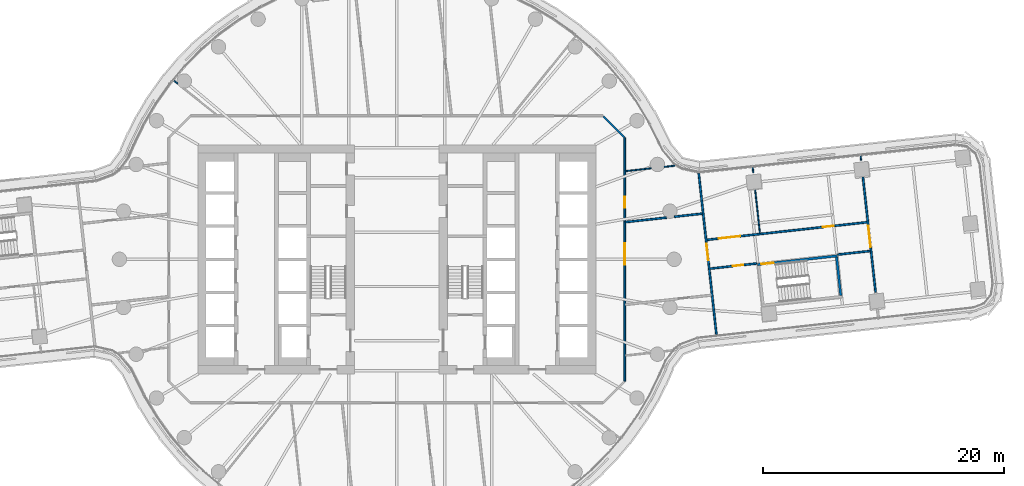
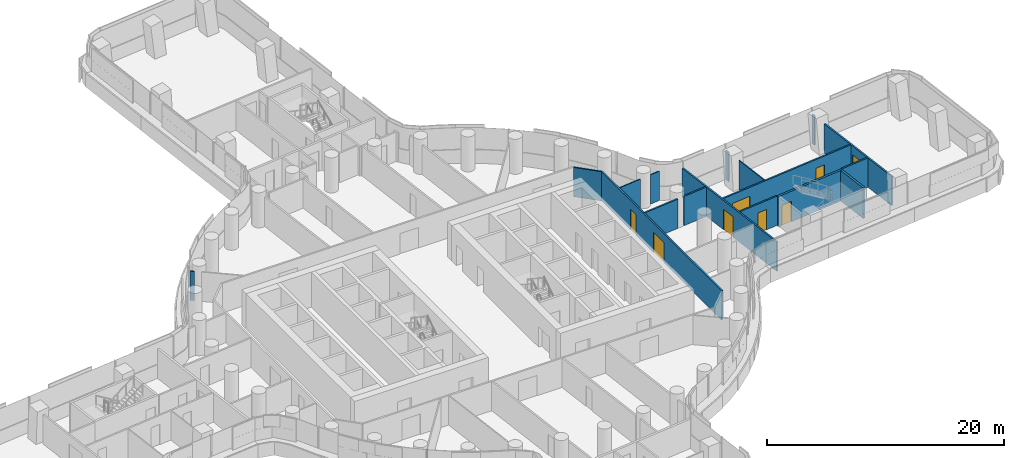
# One storey, part 22 of 31: 17 walls, 8 doors, 8 openings.
"""IFC4 building model written with IfcOpenShell, lengths in metres."""

from ifc_helpers import new_model, si_unit, direction, frame, frame_2d, origin, place, context, subcontext, project, spatial, polyline, rectangle, outline, extrude, material, layer, layer_set, type_object, element, fill, save


model = new_model("IFC4")

# Units and contexts
model_context = context("Model", 3, precision=1e-05, world=origin(), true_north=direction((0.0, 1.0)))
body_context = subcontext(model_context, "Body", "Model", "MODEL_VIEW")
ifc_project = project(units=[si_unit("LENGTHUNIT", "METRE"), si_unit("AREAUNIT", "SQUARE_METRE"), si_unit("VOLUMEUNIT", "CUBIC_METRE"), si_unit("PLANEANGLEUNIT", "RADIAN"), si_unit("MASSUNIT", "GRAM", prefix="KILO")], contexts=[model_context])

# Site, building, storey
site_placement = place(None, origin())
site = spatial("IfcSite", under=ifc_project, at=site_placement, CompositionType="ELEMENT")
building_placement = place(site_placement, origin())
building = spatial("IfcBuilding", under=site, at=building_placement, Name="Tamarind Cross Interchange Tower", CompositionType="ELEMENT")
storey_placement = place(building_placement, frame((0.0, 0.0, 56.5)))
storey = spatial("IfcBuildingStorey", under=building, at=storey_placement, Name="L12", CompositionType="ELEMENT", Elevation=56.5)

# Walls
ifc_material_1 = material(Name="Gypsum board partition on steel studs", Category="steel")
ifc_layer_1 = layer(ifc_material_1, 0.10009765625)
ifc_layer_set_1 = layer_set([ifc_layer_1], Name="Gypsum board partition on steel studs")
wall_type_1 = type_object("IfcWallType", Name="Partition 100 mm EI 90", PredefinedType="PARTITIONING", material=ifc_layer_set_1)
wall_1_placement = place(storey_placement, frame((29.51416015625, 7.606689453125, 0.0), z_axis=(0.0, 0.0, 1.0), x_axis=(0.108802952287, -0.994063336802, 0.0)))
element("IfcWall", 1, at=wall_1_placement, inside=storey, type_object=wall_type_1, Name="Partition L12-030", PredefinedType="PARTITIONING", context=body_context, shape_type="SweptSolid", body=[
    extrude(rectangle(XDim=0.4443359375, YDim=0.10009765625, at=frame_2d((0.22216796875, 0.0))), origin(), (0.0, 0.0, 1.0), 3.010009765625),
])
wall_2_placement = place(storey_placement, frame((29.718505859375, 5.74658203125, 0.0), z_axis=(0.0, 0.0, 1.0), x_axis=(0.109136073169, -0.994026819323, 0.0)))
element("IfcWall", 2, at=wall_2_placement, inside=storey, type_object=wall_type_1, Name="Partition L12-031", PredefinedType="PARTITIONING", context=body_context, shape_type="SweptSolid", body=[
    extrude(rectangle(XDim=3.599365234375, YDim=0.10009765625, at=frame_2d((1.7998046875, 0.0))), origin(), (0.0, 0.0, 1.0), 3.010009765625),
])
wall_3_placement = place(storey_placement, frame((38.463134765625, 8.5673828125, 0.0), z_axis=(0.0, 0.0, 1.0), x_axis=(0.109170164393, -0.994023075792, 0.0)))
element("IfcWall", 3, at=wall_3_placement, inside=storey, type_object=wall_type_1, Name="Partition L12-032", PredefinedType="PARTITIONING", context=body_context, shape_type="SweptSolid", body=[
    extrude(rectangle(XDim=0.33984375, YDim=0.10009765625, at=frame_2d((0.169921875, 0.0))), origin(), (0.0, 0.0, 1.0), 3.010009765625),
])
wall_4_placement = place(storey_placement, frame((-18.472900390625, 14.816162109375, 0.0), z_axis=(0.0, 0.0, 1.0), x_axis=(0.780062502416, -0.625701600065, 0.0)))
element("IfcWall", 4, at=wall_4_placement, inside=storey, type_object=wall_type_1, Name="Partition L12-037", PredefinedType="PARTITIONING", context=body_context, shape_type="SweptSolid", body=[
    extrude(rectangle(XDim=0.38427734375, YDim=0.10009765625, at=frame_2d((0.192138671875, 0.0))), origin(), (0.0, 0.0, 1.0), 3.010009765625),
])
wall_5_placement = place(storey_placement, frame((18.964599609375, 7.31201171875, 0.0), z_axis=(0.0, 0.0, 1.0), x_axis=(0.994002378956, 0.109358450201, 0.0)))
element("IfcWall", 5, at=wall_5_placement, inside=storey, type_object=wall_type_1, Name="Partition L12-067", PredefinedType="PARTITIONING", context=body_context, shape_type="SweptSolid", body=[
    extrude(rectangle(XDim=2.147705078125, YDim=0.10009765625, at=frame_2d((1.07373046875, 0.0))), origin(), (0.0, 0.0, 1.0), 3.010009765625),
])
wall_6_placement = place(storey_placement, frame((22.168701171875, 7.664306640625, 0.0), z_axis=(0.0, 0.0, 1.0), x_axis=(0.993995521714, 0.109420760428, 0.0)))
element("IfcWall", 6, at=wall_6_placement, inside=storey, type_object=wall_type_1, Name="Partition L12-068", PredefinedType="PARTITIONING", context=body_context, shape_type="SweptSolid", body=[
    extrude(rectangle(XDim=0.9013671875, YDim=0.10009765625, at=frame_2d((0.45068359375, 0.0))), origin(), (0.0, 0.0, 1.0), 3.010009765625),
])

# Wall, opening, door
ifc_layer_2 = layer(ifc_material_1, 0.14990234375)
ifc_layer_set_2 = layer_set([ifc_layer_2], Name="Gypsum board partition on steel studs")
wall_type_2 = type_object("IfcWallType", Name="Partition 150 mm EI 120", PredefinedType="PARTITIONING", material=ifc_layer_set_2)
wall_7_placement = place(storey_placement, frame((25.039306640625, 7.133544921875, 0.0), z_axis=(0.0, 0.0, 1.0), x_axis=(0.109208915053, -0.994018819174, 0.0)))
wall_7 = element("IfcWall", 7, at=wall_7_placement, inside=storey, type_object=wall_type_2, Name="Partition L12-029", PredefinedType="PARTITIONING", context=body_context, shape_type="SweptSolid", body=[
    extrude(rectangle(XDim=13.4580078125, YDim=0.14990234375, at=frame_2d((6.72900390625, 0.0))), origin(), (0.0, 0.0, 1.0), 3.010009765625),
])
opening_1_placement = place(wall_7_placement, frame((5.85888671875, 0.0, 0.0)))
opening_1 = element("IfcOpeningElement", 8, at=opening_1_placement, cuts=wall_7, Name="Opening D14", PredefinedType="OPENING", context=body_context, shape_type="SweptSolid", body=[
    extrude(rectangle(XDim=1.39990234375, YDim=2.10009765625, at=frame_2d((0.699951171875, 1.050048828125))), frame((0.0, 0.0849609375, 0.0), z_axis=(0.0, -1.0, 0.0), x_axis=(1.0, 0.0, 0.0)), (0.0, 0.0, 1.0), 0.169921875),
])
ifc_material_2 = material(Name="Fire-resisting door set")
door_type_1 = type_object("IfcDoorType", Name="Interior door 1400 x 2100 FD60S", OperationType="DOUBLE_DOOR_SINGLE_SWING", PredefinedType="DOOR", material=ifc_material_2)
door_1_placement = place(opening_1_placement, frame((1.39990234375, 0.0, 0.0), z_axis=(0.0, 0.0, 1.0), x_axis=(-1.0, 0.0, 0.0)))
door_1 = element("IfcDoor", 9, at=door_1_placement, inside=storey, type_object=door_type_1, Name="Door D14", OperationType="DOUBLE_DOOR_SINGLE_SWING", OverallHeight=2.10009765625, OverallWidth=1.39990234375, PredefinedType="DOOR", context=body_context, shape_type="SweptSolid", body=[
    extrude(rectangle(XDim=1.39990234375, YDim=2.10009765625, at=frame_2d((0.699951171875, 1.050048828125))), frame((0.0, 0.02490234375, 0.0), z_axis=(0.0, -1.0, 0.0), x_axis=(1.0, 0.0, 0.0)), (0.0, 0.0, 1.0), 0.050048828125),
])
fill(opening_1, door_1)

wall_8_placement = place(storey_placement, frame((38.656005859375, 6.811279296875, 0.0), z_axis=(0.0, 0.0, 1.0), x_axis=(0.109266006533, -0.9940125451, 0.0)))
wall_8 = element("IfcWall", 10, at=wall_8_placement, inside=storey, type_object=wall_type_2, Name="Partition L12-033", PredefinedType="PARTITIONING", context=body_context, shape_type="SweptSolid", body=[
    extrude(rectangle(XDim=9.587646484375, YDim=0.14990234375, at=frame_2d((4.7939453125, 0.0))), origin(), (0.0, 0.0, 1.0), 3.010009765625),
])
opening_2_placement = place(wall_8_placement, frame((4.0517578125, 0.0, 0.0)))
opening_2 = element("IfcOpeningElement", 11, at=opening_2_placement, cuts=wall_8, Name="Opening D15", PredefinedType="OPENING", context=body_context, shape_type="SweptSolid", body=[
    extrude(rectangle(XDim=1.800048828125, YDim=2.10009765625, at=frame_2d((0.89990234375, 1.050048828125))), frame((0.0, 0.0849609375, 0.0), z_axis=(0.0, -1.0, 0.0), x_axis=(1.0, 0.0, 0.0)), (0.0, 0.0, 1.0), 0.169921875),
])
door_type_2 = type_object("IfcDoorType", Name="Interior door 1800 x 2100 FD60S", OperationType="DOUBLE_DOOR_SINGLE_SWING", PredefinedType="DOOR", material=ifc_material_2)
door_2_placement = place(opening_2_placement, origin())
door_2 = element("IfcDoor", 12, at=door_2_placement, inside=storey, type_object=door_type_2, Name="Door D15", OperationType="DOUBLE_DOOR_SINGLE_SWING", OverallHeight=2.10009765625, OverallWidth=1.800048828125, PredefinedType="DOOR", context=body_context, shape_type="SweptSolid", body=[
    extrude(rectangle(XDim=1.800048828125, YDim=2.10009765625, at=frame_2d((0.89990234375, 1.050048828125))), frame((0.0, 0.02490234375, 0.0), z_axis=(0.0, -1.0, 0.0), x_axis=(1.0, 0.0, 0.0)), (0.0, 0.0, 1.0), 0.050048828125),
])
fill(opening_2, door_2)

# Walls
wall_9_placement = place(storey_placement, frame((17.12841796875, 11.87158203125, 0.0), z_axis=(0.0, 0.0, 1.0), x_axis=(0.707106781187, -0.707106781187, 0.0)))
element("IfcWall", 13, at=wall_9_placement, inside=storey, type_object=wall_type_2, Name="Partition L12-036", PredefinedType="PARTITIONING", context=body_context, shape_type="SweptSolid", body=[
    extrude(rectangle(XDim=2.465087890625, YDim=0.14990234375, at=frame_2d((1.232421875, 0.0))), origin(), (0.0, 0.0, 1.0), 3.010009765625),
])
wall_10_placement = place(storey_placement, frame((18.964599609375, 3.087158203125, 0.0), z_axis=(0.0, 0.0, 1.0), x_axis=(0.994017073769, 0.109224800551, 0.0)))
element("IfcWall", 14, at=wall_10_placement, inside=storey, type_object=wall_type_2, Name="Partition L12-065", PredefinedType="PARTITIONING", context=body_context, shape_type="SweptSolid", body=[
    extrude(rectangle(XDim=3.419921875, YDim=0.14990234375, at=frame_2d((1.7099609375, 0.0))), origin(), (0.0, 0.0, 1.0), 3.010009765625),
])
wall_11_placement = place(storey_placement, frame((23.023193359375, 3.533203125, 0.0), z_axis=(0.0, 0.0, 1.0), x_axis=(0.994015092875, 0.109242826475, 0.0)))
element("IfcWall", 15, at=wall_11_placement, inside=storey, type_object=wall_type_2, Name="Partition L12-066", PredefinedType="PARTITIONING", context=body_context, shape_type="SweptSolid", body=[
    extrude(rectangle(XDim=2.322021484375, YDim=0.14990234375, at=frame_2d((1.1611328125, 0.0))), origin(), (0.0, 0.0, 1.0), 3.010009765625),
])

# Wall, openings, doors
wall_12_placement = place(storey_placement, frame((25.720703125, 1.6162109375, 0.0), z_axis=(0.0, 0.0, 1.0), x_axis=(0.994022766075, 0.109172984408, 0.0)))
wall_12 = element("IfcWall", 16, at=wall_12_placement, inside=storey, type_object=wall_type_2, Name="Partition L12-071", PredefinedType="PARTITIONING", context=body_context, shape_type="SweptSolid", body=[
    extrude(rectangle(XDim=13.3505859375, YDim=0.14990234375, at=frame_2d((6.67529296875, 0.0))), origin(), (0.0, 0.0, 1.0), 3.010009765625),
])
opening_3_placement = place(wall_12_placement, frame((9.6748046875, 0.0, 0.0)))
opening_3 = element("IfcOpeningElement", 17, at=opening_3_placement, cuts=wall_12, Name="Opening D34", PredefinedType="OPENING", context=body_context, shape_type="SweptSolid", body=[
    extrude(rectangle(XDim=0.89990234375, YDim=2.10009765625, at=frame_2d((0.449951171875, 1.050048828125))), frame((0.0, 0.0849609375, 0.0), z_axis=(0.0, -1.0, 0.0), x_axis=(1.0, 0.0, 0.0)), (0.0, 0.0, 1.0), 0.169921875),
])
opening_4_placement = place(wall_12_placement, frame((0.97509765625, 0.0, 0.0)))
opening_4 = element("IfcOpeningElement", 18, at=opening_4_placement, cuts=wall_12, Name="Opening D35", PredefinedType="OPENING", context=body_context, shape_type="SweptSolid", body=[
    extrude(rectangle(XDim=1.800048828125, YDim=2.10009765625, at=frame_2d((0.89990234375, 1.050048828125))), frame((0.0, 0.0849609375, 0.0), z_axis=(0.0, -1.0, 0.0), x_axis=(1.0, 0.0, 0.0)), (0.0, 0.0, 1.0), 0.169921875),
])
door_3_placement = place(opening_4_placement, origin())
door_3 = element("IfcDoor", 19, at=door_3_placement, inside=storey, type_object=door_type_2, Name="Door D35", OperationType="DOUBLE_DOOR_SINGLE_SWING", OverallHeight=2.10009765625, OverallWidth=1.800048828125, PredefinedType="DOOR", context=body_context, shape_type="SweptSolid", body=[
    extrude(rectangle(XDim=1.800048828125, YDim=2.10009765625, at=frame_2d((0.89990234375, 1.050048828125))), frame((0.0, 0.02490234375, 0.0), z_axis=(0.0, -1.0, 0.0), x_axis=(1.0, 0.0, 0.0)), (0.0, 0.0, 1.0), 0.050048828125),
])
fill(opening_4, door_3)
door_type_3 = type_object("IfcDoorType", Name="Interior door 900 x 2100 FD60S", OperationType="SINGLE_SWING_LEFT", PredefinedType="DOOR", material=ifc_material_2)
door_4_placement = place(opening_3_placement, origin())
door_4 = element("IfcDoor", 20, at=door_4_placement, inside=storey, type_object=door_type_3, Name="Door D34", OperationType="SINGLE_SWING_LEFT", OverallHeight=2.10009765625, OverallWidth=0.89990234375, PredefinedType="DOOR", context=body_context, shape_type="SweptSolid", body=[
    extrude(rectangle(XDim=0.89990234375, YDim=2.10009765625, at=frame_2d((0.449951171875, 1.050048828125))), frame((0.0, 0.02490234375, 0.0), z_axis=(0.0, -1.0, 0.0), x_axis=(1.0, 0.0, 0.0)), (0.0, 0.0, 1.0), 0.050048828125),
])
fill(opening_3, door_4)

# Wall, opening, door
wall_13_placement = place(storey_placement, frame((25.982666015625, -0.769775390625, 0.0), z_axis=(0.0, 0.0, 1.0), x_axis=(0.994010296777, 0.109286457994, 0.0)))
wall_13 = element("IfcWall", 21, at=wall_13_placement, inside=storey, type_object=wall_type_2, Name="Partition L12-072", PredefinedType="PARTITIONING", context=body_context, shape_type="SweptSolid", body=[
    extrude(rectangle(XDim=3.884765625, YDim=0.14990234375, at=frame_2d((1.9423828125, 0.0))), origin(), (0.0, 0.0, 1.0), 3.010009765625),
])
opening_5_placement = place(wall_13_placement, frame((1.875, 0.0, 0.0)))
opening_5 = element("IfcOpeningElement", 22, at=opening_5_placement, cuts=wall_13, Name="Opening D36", PredefinedType="OPENING", context=body_context, shape_type="SweptSolid", body=[
    extrude(rectangle(XDim=0.89990234375, YDim=2.10009765625, at=frame_2d((0.449951171875, 1.050048828125))), frame((0.0, 0.0849609375, 0.0), z_axis=(0.0, -1.0, 0.0), x_axis=(1.0, 0.0, 0.0)), (0.0, 0.0, 1.0), 0.169921875),
])
door_5_placement = place(opening_5_placement, frame((0.89990234375, 0.0, 0.0), z_axis=(0.0, 0.0, 1.0), x_axis=(-1.0, 0.0, 0.0)))
door_5 = element("IfcDoor", 23, at=door_5_placement, inside=storey, type_object=door_type_3, Name="Door D36", OperationType="SINGLE_SWING_RIGHT", OverallHeight=2.10009765625, OverallWidth=0.89990234375, PredefinedType="DOOR", context=body_context, shape_type="SweptSolid", body=[
    extrude(rectangle(XDim=0.89990234375, YDim=2.10009765625, at=frame_2d((0.449951171875, 1.050048828125))), frame((0.0, 0.02490234375, 0.0), z_axis=(0.0, -1.0, 0.0), x_axis=(1.0, 0.0, 0.0)), (0.0, 0.0, 1.0), 0.050048828125),
])
fill(opening_5, door_5)

# Wall
wall_14_placement = place(storey_placement, frame((36.583740234375, 0.396240234375, 0.0), z_axis=(0.0, 0.0, 1.0), x_axis=(0.994011665329, 0.109274009669, 0.0)))
element("IfcWall", 24, at=wall_14_placement, inside=storey, type_object=wall_type_2, Name="Partition L12-073", PredefinedType="PARTITIONING", context=body_context, shape_type="SweptSolid", body=[
    extrude(rectangle(XDim=2.685546875, YDim=0.14990234375, at=frame_2d((1.3427734375, 0.0))), origin(), (0.0, 0.0, 1.0), 3.010009765625),
])

# Wall, openings, doors
wall_15_placement = place(storey_placement, frame((18.89990234375, -10.10009765625, 0.0), z_axis=(0.0, 0.0, 1.0), x_axis=(0.0, 1.0, 0.0)))
wall_15 = element("IfcWall", 25, at=wall_15_placement, inside=storey, type_object=wall_type_2, Name="Partition L12-081", PredefinedType="PARTITIONING", context=body_context, shape_type="SweptSolid", body=[
    extrude(rectangle(XDim=20.2001953125, YDim=0.14990234375, at=frame_2d((10.10009765625, 0.0))), origin(), (0.0, 0.0, 1.0), 3.010009765625),
])
opening_6_placement = place(wall_15_placement, frame((9.638916015625, 0.0, 0.0)))
opening_6 = element("IfcOpeningElement", 26, at=opening_6_placement, cuts=wall_15, Name="Opening D39", PredefinedType="OPENING", context=body_context, shape_type="SweptSolid", body=[
    extrude(rectangle(XDim=1.800048828125, YDim=2.10009765625, at=frame_2d((0.89990234375, 1.050048828125))), frame((0.0, 0.0849609375, 0.0), z_axis=(0.0, -1.0, 0.0), x_axis=(1.0, 0.0, 0.0)), (0.0, 0.0, 1.0), 0.169921875),
])
opening_7_placement = place(wall_15_placement, frame((14.3798828125, 0.0, 0.0)))
opening_7 = element("IfcOpeningElement", 27, at=opening_7_placement, cuts=wall_15, Name="Opening D40", PredefinedType="OPENING", context=body_context, shape_type="SweptSolid", body=[
    extrude(rectangle(XDim=0.89990234375, YDim=2.10009765625, at=frame_2d((0.449951171875, 1.050048828125))), frame((0.0, 0.0849609375, 0.0), z_axis=(0.0, -1.0, 0.0), x_axis=(1.0, 0.0, 0.0)), (0.0, 0.0, 1.0), 0.169921875),
])
door_6_placement = place(opening_6_placement, origin())
door_6 = element("IfcDoor", 28, at=door_6_placement, inside=storey, type_object=door_type_2, Name="Door D39", OperationType="DOUBLE_DOOR_SINGLE_SWING", OverallHeight=2.10009765625, OverallWidth=1.800048828125, PredefinedType="DOOR", context=body_context, shape_type="SweptSolid", body=[
    extrude(rectangle(XDim=1.800048828125, YDim=2.10009765625, at=frame_2d((0.89990234375, 1.050048828125))), frame((0.0, 0.02490234375, 0.0), z_axis=(0.0, -1.0, 0.0), x_axis=(1.0, 0.0, 0.0)), (0.0, 0.0, 1.0), 0.050048828125),
])
fill(opening_6, door_6)
door_7_placement = place(opening_7_placement, frame((0.89990234375, 0.0, 0.0), z_axis=(0.0, 0.0, 1.0), x_axis=(-1.0, 0.0, 0.0)))
door_7 = element("IfcDoor", 29, at=door_7_placement, inside=storey, type_object=door_type_3, Name="Door D40", OperationType="SINGLE_SWING_RIGHT", OverallHeight=2.10009765625, OverallWidth=0.89990234375, PredefinedType="DOOR", context=body_context, shape_type="SweptSolid", body=[
    extrude(rectangle(XDim=0.89990234375, YDim=2.10009765625, at=frame_2d((0.449951171875, 1.050048828125))), frame((0.0, 0.02490234375, 0.0), z_axis=(0.0, -1.0, 0.0), x_axis=(1.0, 0.0, 0.0)), (0.0, 0.0, 1.0), 0.050048828125),
])
fill(opening_7, door_7)

# Wall, opening, door
ifc_material_3 = material(Name="Concrete C40", Category="concrete")
ifc_layer_3 = layer(ifc_material_3, 0.199951171875)
ifc_layer_set_3 = layer_set([ifc_layer_3], Name="Concrete C40")
wall_type_3 = type_object("IfcWallType", Name="Stair shaft wall 200 mm Concrete C40", PredefinedType="SHEAR", material=ifc_layer_set_3)
wall_16_placement = place(storey_placement, frame((29.895263671875, -0.4404296875, -0.139892578125), z_axis=(0.0, 0.0, 1.0), x_axis=(0.99402291579, 0.109171621236, 0.0)))
wall_16 = element("IfcWall", 30, at=wall_16_placement, inside=storey, type_object=wall_type_3, Name="Core wall CWL-L12-ST3-H", PredefinedType="SHEAR", context=body_context, shape_type="SweptSolid", body=[
    extrude(rectangle(XDim=6.699951171875, YDim=0.199951171875, at=frame_2d((3.35009765625, 0.0))), origin(), (0.0, 0.0, 1.0), 3.14990234375),
])
opening_8_placement = place(wall_16_placement, frame((0.35009765625, 0.0, 0.0)))
opening_8 = element("IfcOpeningElement", 31, at=opening_8_placement, cuts=wall_16, Name="Opening ST3L12", PredefinedType="OPENING", context=body_context, shape_type="SweptSolid", body=[
    extrude(rectangle(XDim=1.0, YDim=2.10009765625, at=frame_2d((0.5, 1.050048828125))), frame((0.0, 0.10986328125, 0.0), z_axis=(0.0, -1.0, 0.0), x_axis=(1.0, 0.0, 0.0)), (0.0, 0.0, 1.0), 0.219970703125),
])
ifc_material_4 = material(Name="Steel, fire-resisting", Category="steel")
door_type_4 = type_object("IfcDoorType", Name="Core fire door 1000 x 2100 FD90", OperationType="SINGLE_SWING_LEFT", PredefinedType="DOOR", material=ifc_material_4)
door_8_placement = place(opening_8_placement, origin())
door_8 = element("IfcDoor", 32, at=door_8_placement, inside=storey, type_object=door_type_4, Name="L12 stair door ST3", OperationType="SINGLE_SWING_LEFT", OverallHeight=2.10009765625, OverallWidth=1.0, PredefinedType="DOOR", context=body_context, shape_type="SweptSolid", body=[
    extrude(rectangle(XDim=1.0, YDim=2.10009765625, at=frame_2d((0.5, 1.050048828125))), frame((0.0, 0.02490234375, 0.0), z_axis=(0.0, -1.0, 0.0), x_axis=(1.0, 0.0, 0.0)), (0.0, 0.0, 1.0), 0.050048828125),
])
fill(opening_8, door_8)

# Wall
wall_17_placement = place(storey_placement, frame((0.0, 0.0, -0.139892578125)))
element("IfcWall", 33, at=wall_17_placement, inside=storey, type_object=wall_type_3, Name="Core wall CWL-L12-ST3-CF", PredefinedType="SHEAR", context=body_context, shape_type="SweptSolid", body=[
    extrude(outline(polyline([(36.716796875, -3.010986328125), (36.91552734375, -2.9892578125), (36.566162109375, 0.191650390625), (36.367431640625, 0.169921875), (36.716796875, -3.010986328125)])), origin(), (0.0, 0.0, 1.0), 3.14990234375),
])

save(model, "model.ifc")
